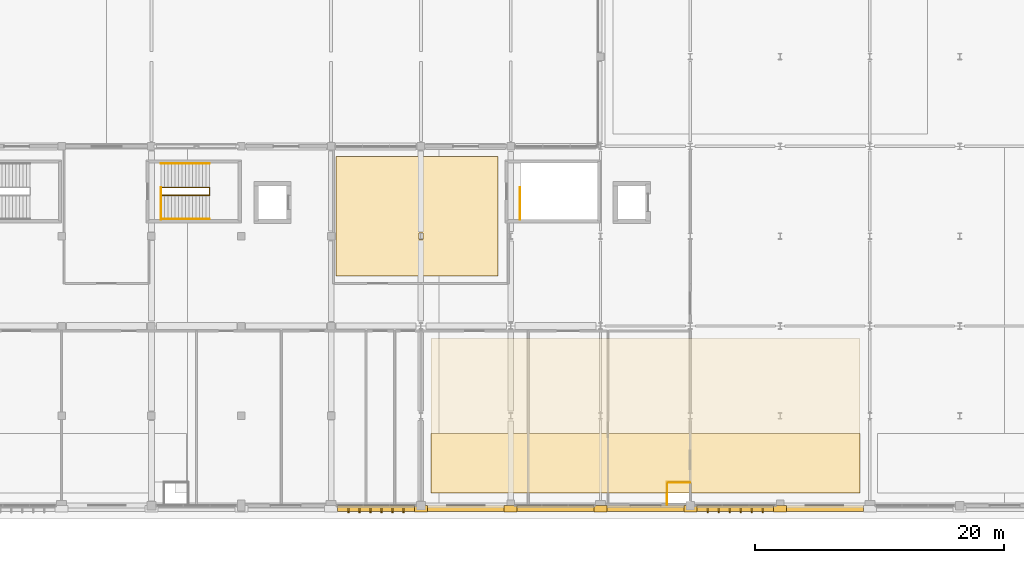
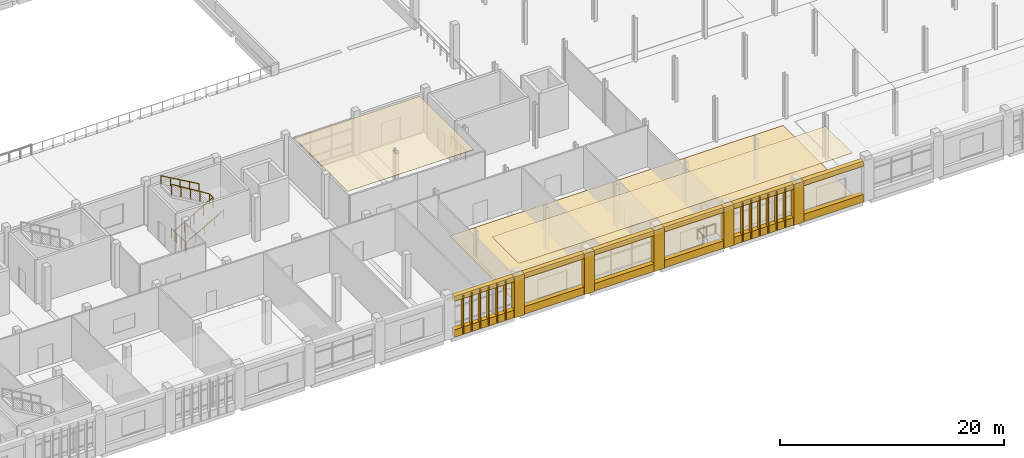
# One storey, part 72 of 82: 32 coverings, 7 railings.
"""IFC4 building model written with IfcOpenShell, lengths in metres."""

from ifc_helpers import new_model, si_unit, direction, frame, origin, origin_2d, place, context, subcontext, project, spatial, polyline, rectangle, circle, outline, extrude, material, layer, layer_set, type_object, element, save


model = new_model("IFC4")

# Units and contexts
model_context = context("Model", 3, precision=1e-05, world=origin(), true_north=direction((0.0, 1.0)))
body_context = subcontext(model_context, "Body", "Model", "MODEL_VIEW")
ifc_project = project(units=[si_unit("LENGTHUNIT", "METRE"), si_unit("AREAUNIT", "SQUARE_METRE"), si_unit("VOLUMEUNIT", "CUBIC_METRE"), si_unit("PLANEANGLEUNIT", "RADIAN"), si_unit("MASSUNIT", "GRAM", prefix="KILO")], contexts=[model_context])

# Site, building, storey
site_placement = place(None, origin())
site = spatial("IfcSite", under=ifc_project, at=site_placement, CompositionType="ELEMENT")
building_placement = place(site_placement, origin())
building = spatial("IfcBuilding", under=site, at=building_placement, Name="Sardonyx Promenade Sports Hall", CompositionType="ELEMENT")
storey_placement = place(building_placement, frame((0.0, 0.0, 11.199951171875)))
storey = spatial("IfcBuildingStorey", under=building, at=storey_placement, Name="L02", CompositionType="ELEMENT", Elevation=11.199951171875)

# Coverings
ifc_material_1 = material(Name="Perforated acoustic mineral-fibre baffle ceiling", Category="other")
ifc_layer_1 = layer(ifc_material_1, 0.0400390625)
ifc_layer_set_1 = layer_set([ifc_layer_1], Name="Cov_Ceil_Acoustic")
covering_type_1 = type_object("IfcCoveringType", Name="Cov_Ceil_Acoustic", PredefinedType="CEILING", material=ifc_layer_set_1)
covering_1_placement = place(storey_placement, frame((0.0, 0.0, 4.52001953125)))
element("IfcCovering", 1, at=covering_1_placement, inside=storey, type_object=covering_type_1, Name="Acoustic baffle ceiling CLG1 L02 #17", PredefinedType="CEILING", context=body_context, shape_type="SweptSolid", body=[
    extrude(outline(polyline([(94.39990234375, 5.800048828125), (94.39990234375, 1.0), (128.800048828125, 1.0), (128.800048828125, 5.800048828125), (94.39990234375, 5.800048828125)])), origin(), (0.0, 0.0, 1.0), 0.0400390625),
])
covering_2_placement = place(storey_placement, frame((0.0, 0.0, 4.489990234375)))
element("IfcCovering", 2, at=covering_2_placement, inside=storey, type_object=covering_type_1, Name="Acoustic baffle ceiling CLG1 L02 #20", PredefinedType="CEILING", context=body_context, shape_type="SweptSolid", body=[
    extrude(outline(polyline([(86.800048828125, 28.0), (86.800048828125, 18.39990234375), (99.800048828125, 18.39990234375), (99.800048828125, 28.0), (86.800048828125, 28.0)]), holes=[polyline([(93.75, 21.844970703125), (93.75, 21.35498046875), (93.449951171875, 21.35498046875), (93.449951171875, 21.844970703125), (93.75, 21.844970703125)])]), origin(), (0.0, 0.0, 1.0), 0.0400390625),
])
ifc_material_2 = material(Name="Dressed Cape red sandstone ashlar", Category="masonry")
ifc_layer_2 = layer(ifc_material_2, 0.06005859375)
ifc_layer_set_2 = layer_set([ifc_layer_2], Name="Cov_Cladding_Sandstone")
covering_type_2 = type_object("IfcCoveringType", Name="Cov_Cladding_Sandstone", PredefinedType="CLADDING", material=ifc_layer_set_2)
covering_3_placement = place(storey_placement, origin())
element("IfcCovering", 3, at=covering_3_placement, inside=storey, type_object=covering_type_2, Name="South sandstone bay pier casing L02 #13", PredefinedType="CLADDING", context=body_context, shape_type="SweptSolid", body=[
    extrude(outline(polyline([(93.080078125, -0.52001953125), (94.1201171875, -0.52001953125), (94.1201171875, 0.02001953125), (93.080078125, 0.02001953125), (93.080078125, -0.52001953125)])), origin(), (0.0, 0.0, 1.0), 4.449951171875),
])
covering_4_placement = place(storey_placement, origin())
element("IfcCovering", 4, at=covering_4_placement, inside=storey, type_object=covering_type_2, Name="South sandstone bay pier casing L02 #14", PredefinedType="CLADDING", context=body_context, shape_type="SweptSolid", body=[
    extrude(outline(polyline([(100.280029296875, -0.52001953125), (101.320068359375, -0.52001953125), (101.320068359375, 0.02001953125), (100.280029296875, 0.02001953125), (100.280029296875, -0.52001953125)])), origin(), (0.0, 0.0, 1.0), 4.449951171875),
])
covering_5_placement = place(storey_placement, origin())
element("IfcCovering", 5, at=covering_5_placement, inside=storey, type_object=covering_type_2, Name="South sandstone bay pier casing L02 #15", PredefinedType="CLADDING", context=body_context, shape_type="SweptSolid", body=[
    extrude(outline(polyline([(107.47998046875, -0.52001953125), (108.52001953125, -0.52001953125), (108.52001953125, 0.02001953125), (107.47998046875, 0.02001953125), (107.47998046875, -0.52001953125)])), origin(), (0.0, 0.0, 1.0), 4.449951171875),
])
covering_6_placement = place(storey_placement, origin())
element("IfcCovering", 6, at=covering_6_placement, inside=storey, type_object=covering_type_2, Name="South sandstone bay pier casing L02 #16", PredefinedType="CLADDING", context=body_context, shape_type="SweptSolid", body=[
    extrude(outline(polyline([(114.679931640625, -0.52001953125), (115.719970703125, -0.52001953125), (115.719970703125, 0.02001953125), (114.679931640625, 0.02001953125), (114.679931640625, -0.52001953125)])), origin(), (0.0, 0.0, 1.0), 4.449951171875),
])
covering_7_placement = place(storey_placement, origin())
element("IfcCovering", 7, at=covering_7_placement, inside=storey, type_object=covering_type_2, Name="South sandstone bay pier casing L02 #17", PredefinedType="CLADDING", context=body_context, shape_type="SweptSolid", body=[
    extrude(outline(polyline([(121.8798828125, -0.52001953125), (122.919921875, -0.52001953125), (122.919921875, 0.02001953125), (121.8798828125, 0.02001953125), (121.8798828125, -0.52001953125)])), origin(), (0.0, 0.0, 1.0), 4.449951171875),
])
covering_8_placement = place(storey_placement, origin())
element("IfcCovering", 8, at=covering_8_placement, inside=storey, type_object=covering_type_2, Name="South sandstone sill spandrel L02 #5", PredefinedType="CLADDING", context=body_context, shape_type="SweptSolid", body=[
    extrude(outline(polyline([(122.919921875, -0.4599609375), (129.080078125, -0.4599609375), (129.080078125, 0.02001953125), (122.919921875, 0.02001953125), (122.919921875, -0.4599609375)])), origin(), (0.0, 0.0, 1.0), 0.820068359375),
])
covering_9_placement = place(storey_placement, frame((0.0, 0.0, 3.900146484375)))
element("IfcCovering", 9, at=covering_9_placement, inside=storey, type_object=covering_type_2, Name="South sandstone lintel frieze L02 #5", PredefinedType="CLADDING", context=body_context, shape_type="SweptSolid", body=[
    extrude(outline(polyline([(122.919921875, -0.4599609375), (129.080078125, -0.4599609375), (129.080078125, 0.02001953125), (122.919921875, 0.02001953125), (122.919921875, -0.4599609375)])), origin(), (0.0, 0.0, 1.0), 0.5498046875),
])
covering_10_placement = place(storey_placement, origin())
element("IfcCovering", 10, at=covering_10_placement, inside=storey, type_object=covering_type_2, Name="South sandstone sill spandrel L02 #6", PredefinedType="CLADDING", context=body_context, shape_type="SweptSolid", body=[
    extrude(outline(polyline([(115.719970703125, -0.4599609375), (121.8798828125, -0.4599609375), (121.8798828125, 0.02001953125), (115.719970703125, 0.02001953125), (115.719970703125, -0.4599609375)])), origin(), (0.0, 0.0, 1.0), 0.820068359375),
])
covering_11_placement = place(storey_placement, frame((0.0, 0.0, 3.900146484375)))
element("IfcCovering", 11, at=covering_11_placement, inside=storey, type_object=covering_type_2, Name="South sandstone lintel frieze L02 #6", PredefinedType="CLADDING", context=body_context, shape_type="SweptSolid", body=[
    extrude(outline(polyline([(115.719970703125, -0.4599609375), (121.8798828125, -0.4599609375), (121.8798828125, 0.02001953125), (115.719970703125, 0.02001953125), (115.719970703125, -0.4599609375)])), origin(), (0.0, 0.0, 1.0), 0.5498046875),
])
covering_12_placement = place(storey_placement, origin())
element("IfcCovering", 12, at=covering_12_placement, inside=storey, type_object=covering_type_2, Name="South sandstone sill spandrel L02 #7", PredefinedType="CLADDING", context=body_context, shape_type="SweptSolid", body=[
    extrude(outline(polyline([(108.52001953125, -0.4599609375), (114.679931640625, -0.4599609375), (114.679931640625, 0.02001953125), (108.52001953125, 0.02001953125), (108.52001953125, -0.4599609375)])), origin(), (0.0, 0.0, 1.0), 0.820068359375),
])
covering_13_placement = place(storey_placement, frame((0.0, 0.0, 3.900146484375)))
element("IfcCovering", 13, at=covering_13_placement, inside=storey, type_object=covering_type_2, Name="South sandstone lintel frieze L02 #7", PredefinedType="CLADDING", context=body_context, shape_type="SweptSolid", body=[
    extrude(outline(polyline([(108.52001953125, -0.4599609375), (114.679931640625, -0.4599609375), (114.679931640625, 0.02001953125), (108.52001953125, 0.02001953125), (108.52001953125, -0.4599609375)])), origin(), (0.0, 0.0, 1.0), 0.5498046875),
])
covering_14_placement = place(storey_placement, origin())
element("IfcCovering", 14, at=covering_14_placement, inside=storey, type_object=covering_type_2, Name="South sandstone sill spandrel L02 #8", PredefinedType="CLADDING", context=body_context, shape_type="SweptSolid", body=[
    extrude(outline(polyline([(101.320068359375, -0.4599609375), (107.47998046875, -0.4599609375), (107.47998046875, 0.02001953125), (101.320068359375, 0.02001953125), (101.320068359375, -0.4599609375)])), origin(), (0.0, 0.0, 1.0), 0.820068359375),
])
covering_15_placement = place(storey_placement, frame((0.0, 0.0, 3.900146484375)))
element("IfcCovering", 15, at=covering_15_placement, inside=storey, type_object=covering_type_2, Name="South sandstone lintel frieze L02 #8", PredefinedType="CLADDING", context=body_context, shape_type="SweptSolid", body=[
    extrude(outline(polyline([(101.320068359375, -0.4599609375), (107.47998046875, -0.4599609375), (107.47998046875, 0.02001953125), (101.320068359375, 0.02001953125), (101.320068359375, -0.4599609375)])), origin(), (0.0, 0.0, 1.0), 0.5498046875),
])
covering_16_placement = place(storey_placement, origin())
element("IfcCovering", 16, at=covering_16_placement, inside=storey, type_object=covering_type_2, Name="South sandstone sill spandrel L02 #9", PredefinedType="CLADDING", context=body_context, shape_type="SweptSolid", body=[
    extrude(outline(polyline([(94.1201171875, -0.4599609375), (100.280029296875, -0.4599609375), (100.280029296875, 0.02001953125), (94.1201171875, 0.02001953125), (94.1201171875, -0.4599609375)])), origin(), (0.0, 0.0, 1.0), 0.820068359375),
])
covering_17_placement = place(storey_placement, frame((0.0, 0.0, 3.900146484375)))
element("IfcCovering", 17, at=covering_17_placement, inside=storey, type_object=covering_type_2, Name="South sandstone lintel frieze L02 #9", PredefinedType="CLADDING", context=body_context, shape_type="SweptSolid", body=[
    extrude(outline(polyline([(94.1201171875, -0.4599609375), (100.280029296875, -0.4599609375), (100.280029296875, 0.02001953125), (94.1201171875, 0.02001953125), (94.1201171875, -0.4599609375)])), origin(), (0.0, 0.0, 1.0), 0.5498046875),
])
covering_18_placement = place(storey_placement, origin())
element("IfcCovering", 18, at=covering_18_placement, inside=storey, type_object=covering_type_2, Name="South sandstone sill spandrel L02 #10", PredefinedType="CLADDING", context=body_context, shape_type="SweptSolid", body=[
    extrude(outline(polyline([(86.919921875, -0.4599609375), (93.080078125, -0.4599609375), (93.080078125, 0.02001953125), (86.919921875, 0.02001953125), (86.919921875, -0.4599609375)])), origin(), (0.0, 0.0, 1.0), 0.820068359375),
])
covering_19_placement = place(storey_placement, frame((0.0, 0.0, 3.900146484375)))
element("IfcCovering", 19, at=covering_19_placement, inside=storey, type_object=covering_type_2, Name="South sandstone lintel frieze L02 #10", PredefinedType="CLADDING", context=body_context, shape_type="SweptSolid", body=[
    extrude(outline(polyline([(86.919921875, -0.4599609375), (93.080078125, -0.4599609375), (93.080078125, 0.02001953125), (86.919921875, 0.02001953125), (86.919921875, -0.4599609375)])), origin(), (0.0, 0.0, 1.0), 0.5498046875),
])
ifc_material_3 = material(Name="FIBA Grade 1 sprung maple hardwood court flooring", Category="wood")
ifc_layer_3 = layer(ifc_material_3, 0.044921875)
ifc_layer_set_3 = layer_set([ifc_layer_3], Name="Cov_Floor_Maple")
covering_type_3 = type_object("IfcCoveringType", Name="Cov_Floor_Maple", PredefinedType="FLOORING", material=ifc_layer_set_3)
covering_20_placement = place(storey_placement, origin())
element("IfcCovering", 20, at=covering_20_placement, inside=storey, type_object=covering_type_3, Name="Athletic flooring FLR1 L02 #8", PredefinedType="FLOORING", context=body_context, shape_type="SweptSolid", body=[
    extrude(outline(polyline([(94.39990234375, 1.0), (113.320068359375, 1.0), (113.320068359375, 1.7919921875), (113.3203125, 1.798828125), (113.321533203125, 1.8076171875), (113.32373046875, 1.816162109375), (113.326904296875, 1.824462890625), (113.33056640625, 1.83251953125), (113.335205078125, 1.840087890625), (113.34033203125, 1.84716796875), (113.34619140625, 1.853759765625), (113.352783203125, 1.859619140625), (113.35986328125, 1.864990234375), (113.367431640625, 1.869384765625), (113.37548828125, 1.873291015625), (113.3837890625, 1.876220703125), (113.392333984375, 1.87841796875), (113.401123046875, 1.879638671875), (113.407958984375, 1.8798828125), (115.19189453125, 1.8798828125), (115.19873046875, 1.879638671875), (115.20751953125, 1.87841796875), (115.21630859375, 1.876220703125), (115.224609375, 1.873291015625), (115.232421875, 1.869384765625), (115.239990234375, 1.864990234375), (115.247314453125, 1.859619140625), (115.253662109375, 1.853759765625), (115.259521484375, 1.84716796875), (115.264892578125, 1.840087890625), (115.26953125, 1.83251953125), (115.273193359375, 1.824462890625), (115.276123046875, 1.816162109375), (115.2783203125, 1.8076171875), (115.27978515625, 1.798828125), (115.280029296875, 1.7919921875), (115.280029296875, 1.0), (128.800048828125, 1.0), (128.800048828125, 13.39990234375), (94.39990234375, 13.39990234375), (94.39990234375, 1.0)])), origin(), (0.0, 0.0, 1.0), 0.045166015625),
])
ifc_material_4 = material(Name="Glulam GL28h", Category="wood")
ifc_layer_4 = layer(ifc_material_4, 0.110107421875)
ifc_layer_set_4 = layer_set([ifc_layer_4], Name="Cov_Louvre_GL28h")
covering_type_4 = type_object("IfcCoveringType", Name="Cov_Louvre_GL28h", PredefinedType="MOLDING", material=ifc_layer_set_4)
for number, where, z_axis, x_axis, name in (
    (21, (116.60009765625, -0.3798828125, 0.10009765625), (0.0, 0.0, 1.0), (1.0, 0.0, 0.0), "Mughal jali screen mullion L02 #6-1"),
    (22, (117.47998046875, -0.3798828125, 0.10009765625), (0.0, 0.0, 1.0), (1.0, 0.0, 0.0), "Mughal jali screen mullion L02 #6-2"),
    (23, (118.360107421875, -0.3798828125, 0.10009765625), (0.0, 0.0, 1.0), (1.0, 0.0, 0.0), "Mughal jali screen mullion L02 #6-3"),
    (24, (119.239990234375, -0.3798828125, 0.10009765625), (0.0, 0.0, 1.0), (1.0, 0.0, 0.0), "Mughal jali screen mullion L02 #6-4"),
    (25, (120.1201171875, -0.3798828125, 0.10009765625), (0.0, 0.0, 1.0), (1.0, 0.0, 0.0), "Mughal jali screen mullion L02 #6-5"),
    (26, (121.0, -0.3798828125, 0.10009765625), (0.0, 0.0, 1.0), (1.0, 0.0, 0.0), "Mughal jali screen mullion L02 #6-6"),
    (27, (87.800048828125, -0.3798828125, 0.10009765625), (0.0, 0.0, 1.0), (1.0, 0.0, 0.0), "Mughal jali screen mullion L02 #10-1"),
    (28, (88.679931640625, -0.3798828125, 0.10009765625), (0.0, 0.0, 1.0), (1.0, 0.0, 0.0), "Mughal jali screen mullion L02 #10-2"),
    (29, (89.56005859375, -0.3798828125, 0.10009765625), (0.0, 0.0, 1.0), (1.0, 0.0, 0.0), "Mughal jali screen mullion L02 #10-3"),
    (30, (90.43994140625, -0.3798828125, 0.10009765625), (0.0, 0.0, 1.0), (1.0, 0.0, 0.0), "Mughal jali screen mullion L02 #10-4"),
    (31, (91.320068359375, -0.3798828125, 0.10009765625), (0.0, 0.0, 1.0), (1.0, 0.0, 0.0), "Mughal jali screen mullion L02 #10-5"),
    (32, (92.199951171875, -0.3798828125, 0.10009765625), (0.0, 0.0, 1.0), (1.0, 0.0, 0.0), "Mughal jali screen mullion L02 #10-6"),
):
    element("IfcCovering", number, at=place(storey_placement, frame(where, z_axis=z_axis, x_axis=x_axis)), inside=storey, type_object=covering_type_4, Name=name, PredefinedType="MOLDING", context=body_context, shape_type="SweptSolid", body=[
        extrude(rectangle(XDim=0.10009765625, YDim=0.360107421875, at=origin_2d()), origin(), (0.0, 0.0, 1.0), 4.25),
    ])

# Railings
ifc_material_5 = material(Name="Powder-coated Steel S355JR", Category="steel")
railing_type_1 = type_object("IfcRailingType", Name="Rail_Int_Guard_1100", PredefinedType="GUARDRAIL", material=ifc_material_5)
for number, where, name in (
    (33, (101.56005859375, 22.945068359375, 0.0), "Stair floor-edge guard ST2 L02"),
    (34, (72.760009765625, 22.945068359375, 0.0), "Stair floor-edge guard ST4 L02"),
):
    element("IfcRailing", number, at=place(storey_placement, frame(where)), inside=storey, type_object=railing_type_1, Name=name, PredefinedType="GUARDRAIL", context=body_context, shape_type="SweptSolid", body=[
        extrude(circle(Radius=0.02392578125, at=origin_2d()), frame((0.0, 0.0, 1.09619140625), z_axis=(0.0, 1.0, 0.0), x_axis=(-1.0, 0.0, 0.0)), (0.0, 0.0, 1.0), 2.56982421875),
        extrude(circle(Radius=0.02392578125, at=origin_2d()), frame((0.0, 2.56982421875, 1.09619140625), z_axis=(-1.0, 0.0, 0.0), x_axis=(0.0, -1.0, 0.0)), (0.0, 0.0, 1.0), 0.010009765625),
        extrude(circle(Radius=0.02099609375, at=origin_2d()), origin(), (0.0, 0.0, 1.0), 1.072021484375),
        extrude(circle(Radius=0.02099609375, at=origin_2d()), frame((0.0, 0.856689453125, 0.0)), (0.0, 0.0, 1.0), 1.072021484375),
        extrude(circle(Radius=0.02099609375, at=origin_2d()), frame((0.0, 1.713134765625, 0.0)), (0.0, 0.0, 1.0), 1.072021484375),
        extrude(circle(Radius=0.02099609375, at=origin_2d()), frame((0.0, 2.56982421875, 0.0)), (0.0, 0.0, 1.0), 1.072021484375),
        extrude(circle(Radius=0.02099609375, at=origin_2d()), frame((-0.010009765625, 2.56982421875, 0.0)), (0.0, 0.0, 1.0), 1.072021484375),
    ])
railing_1_placement = place(storey_placement, frame((72.75, 24.885009765625, 0.16015625)))
element("IfcRailing", 35, at=railing_1_placement, inside=storey, type_object=railing_type_1, Name="Stair inner well guard ST4 L02", PredefinedType="GUARDRAIL", context=body_context, shape_type="SweptSolid", body=[
    extrude(circle(Radius=0.02392578125, at=origin_2d()), frame((0.0, 0.0, 1.09619140625), z_axis=(0.867141957756, 0.0, 0.498061065632), x_axis=(0.0, 1.0, 0.0)), (0.0, 0.0, 1.0), 4.497314453125),
    extrude(circle(Radius=0.02392578125, at=origin_2d()), frame((3.89990234375, 0.0, 3.3359375), z_axis=(0.0, 1.0, 0.0), x_axis=(-1.0, 0.0, 0.0)), (0.0, 0.0, 1.0), 0.6298828125),
    extrude(circle(Radius=0.02392578125, at=origin_2d()), frame((3.89990234375, 0.6298828125, 3.3359375), z_axis=(-0.851661977835, 0.0, 0.524091476281), x_axis=(0.0, -1.0, 0.0)), (0.0, 0.0, 1.0), 4.5791015625),
    extrude(circle(Radius=0.02099609375, at=origin_2d()), origin(), (0.0, 0.0, 1.0), 1.072021484375),
    extrude(circle(Radius=0.02099609375, at=origin_2d()), frame((0.97509765625, 0.0, 0.56005859375)), (0.0, 0.0, 1.0), 1.072021484375),
    extrude(circle(Radius=0.02099609375, at=origin_2d()), frame((1.949951171875, 0.0, 1.1201171875)), (0.0, 0.0, 1.0), 1.072021484375),
    extrude(circle(Radius=0.02099609375, at=origin_2d()), frame((2.9248046875, 0.0, 1.679931640625)), (0.0, 0.0, 1.0), 1.072021484375),
    extrude(circle(Radius=0.02099609375, at=origin_2d()), frame((3.89990234375, 0.0, 2.239990234375)), (0.0, 0.0, 1.0), 1.072021484375),
    extrude(circle(Radius=0.02099609375, at=origin_2d()), frame((3.89990234375, 0.6298828125, 2.239990234375)), (0.0, 0.0, 1.0), 1.072021484375),
    extrude(circle(Radius=0.02099609375, at=origin_2d()), frame((2.9248046875, 0.6298828125, 2.83984375)), (0.0, 0.0, 1.0), 1.072021484375),
    extrude(circle(Radius=0.02099609375, at=origin_2d()), frame((1.949951171875, 0.6298828125, 3.43994140625)), (0.0, 0.0, 1.0), 1.072021484375),
    extrude(circle(Radius=0.02099609375, at=origin_2d()), frame((0.97509765625, 0.6298828125, 4.0400390625)), (0.0, 0.0, 1.0), 1.072021484375),
    extrude(circle(Radius=0.02099609375, at=origin_2d()), frame((0.0, 0.6298828125, 4.639892578125)), (0.0, 0.0, 1.0), 1.072021484375),
])
railing_2_placement = place(storey_placement, frame((113.330078125, 0.10009765625, 0.0)))
element("IfcRailing", 36, at=railing_2_placement, inside=storey, type_object=railing_type_1, Name="Deck-edge guardrail GR02 L02 #31", PredefinedType="GUARDRAIL", context=body_context, shape_type="SweptSolid", body=[
    extrude(circle(Radius=0.02392578125, at=origin_2d()), frame((0.0, 0.0, 1.09619140625), z_axis=(0.0, 1.0, 0.0), x_axis=(-1.0, 0.0, 0.0)), (0.0, 0.0, 1.0), 1.77978515625),
    extrude(circle(Radius=0.02099609375, at=origin_2d()), origin(), (0.0, 0.0, 1.0), 1.072021484375),
    extrude(circle(Radius=0.02099609375, at=origin_2d()), frame((0.0, 0.889892578125, 0.0)), (0.0, 0.0, 1.0), 1.072021484375),
    extrude(circle(Radius=0.02099609375, at=origin_2d()), frame((0.0, 1.77978515625, 0.0)), (0.0, 0.0, 1.0), 1.072021484375),
])
railing_3_placement = place(storey_placement, frame((113.320068359375, 1.8701171875, 0.0)))
element("IfcRailing", 37, at=railing_3_placement, inside=storey, type_object=railing_type_1, Name="Deck-edge guardrail GR02 L02 #32", PredefinedType="GUARDRAIL", context=body_context, shape_type="SweptSolid", body=[
    extrude(circle(Radius=0.02392578125, at=origin_2d()), frame((0.0, 0.0, 1.09619140625), z_axis=(1.0, 0.0, 0.0), x_axis=(0.0, 1.0, 0.0)), (0.0, 0.0, 1.0), 1.844970703125),
    extrude(circle(Radius=0.02099609375, at=origin_2d()), origin(), (0.0, 0.0, 1.0), 1.072021484375),
    extrude(circle(Radius=0.02099609375, at=origin_2d()), frame((0.92236328125, 0.0, 0.0)), (0.0, 0.0, 1.0), 1.072021484375),
    extrude(circle(Radius=0.02099609375, at=origin_2d()), frame((1.844970703125, 0.0, 0.0)), (0.0, 0.0, 1.0), 1.072021484375),
])
ifc_material_6 = material(Name="Brushed stainless steel Grade 304", Category="steel")
railing_type_2 = type_object("IfcRailingType", Name="Rail_Int_Handrail_900", PredefinedType="HANDRAIL", material=ifc_material_6)
railing_4_placement = place(storey_placement, frame((72.75, 22.97509765625, 0.16015625)))
element("IfcRailing", 38, at=railing_4_placement, inside=storey, type_object=railing_type_2, Name="Stair handrail ST4 L02 F1", PredefinedType="HANDRAIL", context=body_context, shape_type="SweptSolid", body=[
    extrude(circle(Radius=0.02392578125, at=origin_2d()), frame((0.0, 0.0, 0.8759765625), z_axis=(0.868239814368, 0.0, 0.496144761885), x_axis=(0.0, 1.0, 0.0)), (0.0, 0.0, 1.0), 4.514892578125),
    extrude(circle(Radius=0.02099609375, at=origin_2d()), origin(), (0.0, 0.0, 1.0), 0.851806640625),
    extrude(circle(Radius=0.02099609375, at=origin_2d()), frame((0.97998046875, 0.0, 0.56005859375)), (0.0, 0.0, 1.0), 0.851806640625),
    extrude(circle(Radius=0.02099609375, at=origin_2d()), frame((1.9599609375, 0.0, 1.1201171875)), (0.0, 0.0, 1.0), 0.851806640625),
    extrude(circle(Radius=0.02099609375, at=origin_2d()), frame((2.93994140625, 0.0, 1.679931640625)), (0.0, 0.0, 1.0), 0.851806640625),
    extrude(circle(Radius=0.02099609375, at=origin_2d()), frame((3.919921875, 0.0, 2.239990234375)), (0.0, 0.0, 1.0), 0.851806640625),
])
railing_5_placement = place(storey_placement, frame((76.669921875, 27.425048828125, 2.56005859375)))
element("IfcRailing", 39, at=railing_5_placement, inside=storey, type_object=railing_type_2, Name="Stair handrail ST4 L02 F2", PredefinedType="HANDRAIL", context=body_context, shape_type="SweptSolid", body=[
    extrude(circle(Radius=0.02392578125, at=origin_2d()), frame((0.0, 0.0, 0.8759765625), z_axis=(-0.868239814368, 0.0, 0.496144761885), x_axis=(0.0, -1.0, 0.0)), (0.0, 0.0, 1.0), 4.514892578125),
    extrude(circle(Radius=0.02099609375, at=origin_2d()), origin(), (0.0, 0.0, 1.0), 0.851806640625),
    extrude(circle(Radius=0.02099609375, at=origin_2d()), frame((-0.97998046875, 0.0, 0.56005859375)), (0.0, 0.0, 1.0), 0.851806640625),
    extrude(circle(Radius=0.02099609375, at=origin_2d()), frame((-1.9599609375, 0.0, 1.1201171875)), (0.0, 0.0, 1.0), 0.851806640625),
    extrude(circle(Radius=0.02099609375, at=origin_2d()), frame((-2.93994140625, 0.0, 1.679931640625)), (0.0, 0.0, 1.0), 0.851806640625),
    extrude(circle(Radius=0.02099609375, at=origin_2d()), frame((-3.919921875, 0.0, 2.239990234375)), (0.0, 0.0, 1.0), 0.851806640625),
])

save(model, "model.ifc")
